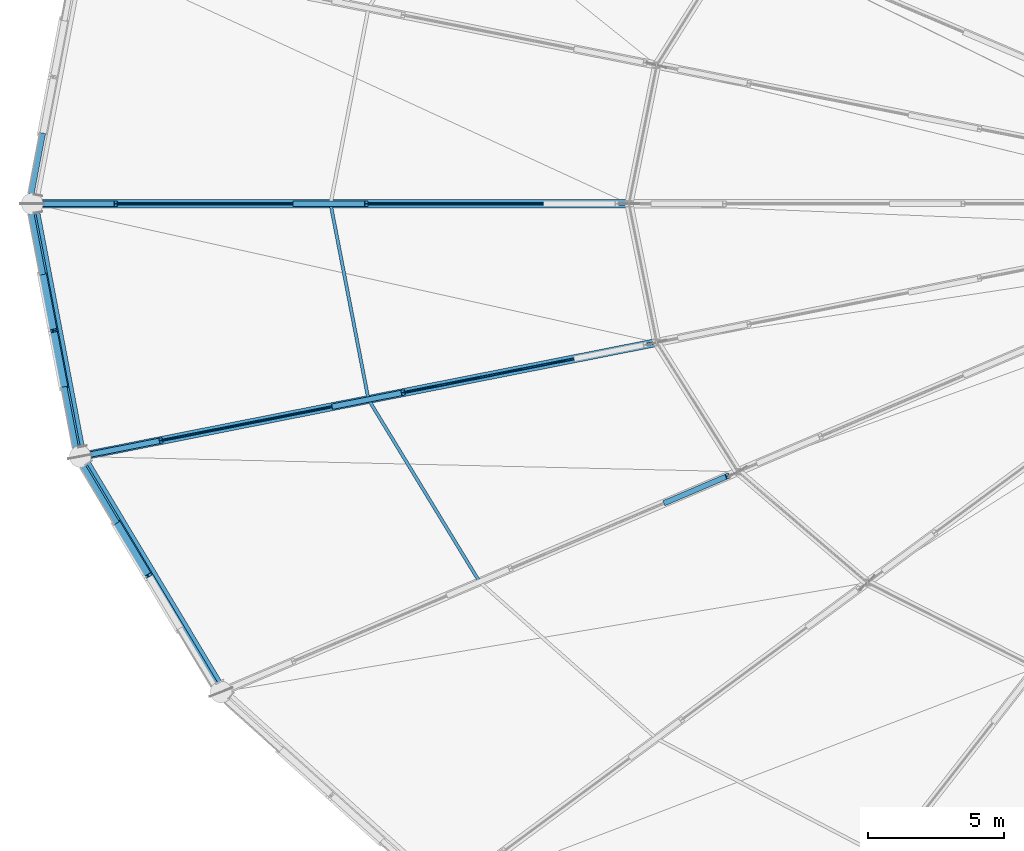
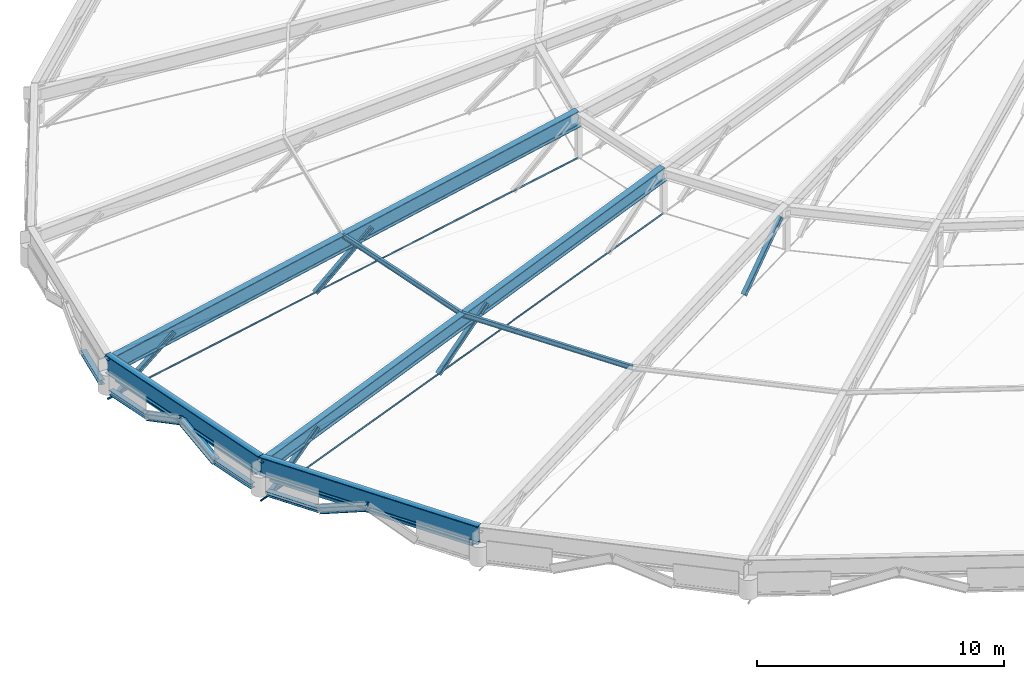
# One storey, part 9 of 83: 13 beams, 9 members.
"""IFC4 building model written with IfcOpenShell, lengths in metres."""

from ifc_helpers import new_model, si_unit, direction, frame, origin, origin_2d, place, context, subcontext, project, spatial, hollow_rectangle, circle, i_section, extrude, material, material_profile, profile_set, type_object, element, save


model = new_model("IFC4")

# Units and contexts
model_context = context("Model", 3, precision=1e-05, world=origin(), true_north=direction((0.0, 1.0)))
body_context = subcontext(model_context, "Body", "Model", "MODEL_VIEW")
ifc_project = project(units=[si_unit("LENGTHUNIT", "METRE"), si_unit("AREAUNIT", "SQUARE_METRE"), si_unit("VOLUMEUNIT", "CUBIC_METRE"), si_unit("PLANEANGLEUNIT", "RADIAN"), si_unit("MASSUNIT", "GRAM", prefix="KILO")], contexts=[model_context])

# Site, building, storey
site_placement = place(None, origin())
site = spatial("IfcSite", under=ifc_project, at=site_placement, CompositionType="ELEMENT")
building_placement = place(site_placement, origin())
building = spatial("IfcBuilding", under=site, at=building_placement, Name="Kivolera Central Railway Station", CompositionType="ELEMENT")
storey_placement = place(building_placement, frame((0.0, 0.0, 14.39990234375)))
storey = spatial("IfcBuildingStorey", under=building, at=storey_placement, Name="L03", CompositionType="ELEMENT", Elevation=14.39990234375)

# Beams
ifc_material_1 = material(Name="Steel S355", Category="steel")
ifc_material_profile_1 = material_profile(ifc_material_1, hollow_rectangle(XDim=0.14990234375, YDim=0.300048828125, WallThickness=0.012451171875, at=origin_2d()), Name="RHS 300x150x12.5")
ifc_profile_set_1 = profile_set([ifc_material_profile_1], Name="Steel S355")
beam_type_1 = type_object("IfcBeamType", Name="BM-ARCH-HOOD", PredefinedType="SPANDREL", material=ifc_profile_set_1)
beam_1_placement = place(storey_placement, frame((12.208984375, 89.677978515625, 0.735107421875), z_axis=(0.186806482691, -0.982396731481, 0.0), x_axis=(0.982396731481, 0.186806482691, 0.0)))
element("IfcBeam", 1, at=beam_1_placement, inside=storey, type_object=beam_type_1, Name="Lantern Spandrel Hood Beam 13", PredefinedType="SPANDREL", context=body_context, shape_type="SweptSolid", body=[
    extrude(hollow_rectangle(XDim=0.14990234375, YDim=0.300048828125, WallThickness=0.012451171875, at=origin_2d()), origin(), (0.0, 0.0, 1.0), 8.7734375),
])
beam_2_placement = place(storey_placement, frame((14.0791015625, 80.452880859375, 0.735107421875), z_axis=(0.513358106198, -0.858174489717, 0.0), x_axis=(0.858174489717, 0.513358106198, 0.0)))
element("IfcBeam", 2, at=beam_2_placement, inside=storey, type_object=beam_type_1, Name="Lantern Spandrel Hood Beam 14", PredefinedType="SPANDREL", context=body_context, shape_type="SweptSolid", body=[
    extrude(hollow_rectangle(XDim=0.14990234375, YDim=0.300048828125, WallThickness=0.012451171875, at=origin_2d()), origin(), (0.0, 0.0, 1.0), 9.408203125),
])
ifc_material_profile_2 = material_profile(ifc_material_1, i_section(OverallWidth=0.300048828125, OverallDepth=0.699951171875, WebThickness=0.01708984375, FlangeThickness=0.031982421875, FilletRadius=0.027099609375, at=origin_2d()), Name="HEB 700")
ifc_profile_set_2 = profile_set([ifc_material_profile_2], Name="Steel S355")
beam_type_2 = type_object("IfcBeamType", Name="BM-DRB-HEB700", PredefinedType="BEAM", material=ifc_profile_set_2)
beam_3_placement = place(storey_placement, frame((13.77197265625, 80.68310546875, 1.18017578125), z_axis=(0.959583816492, 0.189877206703, 0.207715058439), x_axis=(-0.194110886341, 0.980979593979, 0.0)))
element("IfcBeam", 3, at=beam_3_placement, inside=storey, type_object=beam_type_2, Name="Oval Dome Radial Arch Rib Outer Segment DRB1-14", PredefinedType="BEAM", context=body_context, shape_type="SweptSolid", body=[
    extrude(i_section(OverallWidth=0.300048828125, OverallDepth=0.699951171875, WebThickness=0.01708984375, FlangeThickness=0.031982421875, FilletRadius=0.027099609375, at=origin_2d()), origin(), (0.0, 0.0, 1.0), 22.14501953125),
])
ifc_material_profile_3 = material_profile(ifc_material_1, i_section(OverallWidth=0.300048828125, OverallDepth=0.800048828125, WebThickness=0.017578125, FlangeThickness=0.032958984375, FilletRadius=0.030029296875, at=origin_2d()), Name="HEB 800")
ifc_profile_set_3 = profile_set([ifc_material_profile_3], Name="Steel S355")
beam_type_3 = type_object("IfcBeamType", Name="BM-DRB-HEB800", PredefinedType="BEAM", material=ifc_profile_set_3)
beam_4_placement = place(storey_placement, frame((12.0, 90.0, 1.18017578125), z_axis=(0.978833406284, 0.0, 0.204658649323), x_axis=(0.0, 1.0, 0.0)))
element("IfcBeam", 4, at=beam_4_placement, inside=storey, type_object=beam_type_3, Name="Oval Dome Radial Arch Rib Outer Segment DRB1-13", PredefinedType="BEAM", context=body_context, shape_type="SweptSolid", body=[
    extrude(i_section(OverallWidth=0.300048828125, OverallDepth=0.800048828125, WebThickness=0.017578125, FlangeThickness=0.032958984375, FilletRadius=0.030029296875, at=origin_2d()), origin(), (0.0, 0.0, 1.0), 22.475830078125),
])
ifc_material_profile_4 = material_profile(ifc_material_1, i_section(OverallWidth=0.300048828125, OverallDepth=0.300048828125, WebThickness=0.010986328125, FlangeThickness=0.01904296875, FilletRadius=0.027099609375, at=origin_2d()), Name="HEB 300")
ifc_profile_set_4 = profile_set([ifc_material_profile_4], Name="Steel S355")
beam_type_4 = type_object("IfcBeamType", Name="BM-LANT-ARCH", PredefinedType="SPANDREL", material=ifc_profile_set_4)
beam_5_placement = place(storey_placement, frame((12.375, 87.387939453125, 0.16015625), z_axis=(0.171638892199, -0.903396256206, 0.392957115928), x_axis=(0.982425727278, 0.186653932136, 0.0)))
element("IfcBeam", 5, at=beam_5_placement, inside=storey, type_object=beam_type_4, Name="Oval Lantern Structural Arch Rib 13.3", PredefinedType="SPANDREL", context=body_context, shape_type="SweptSolid", body=[
    extrude(i_section(OverallWidth=0.300048828125, OverallDepth=0.300048828125, WebThickness=0.010986328125, FlangeThickness=0.01904296875, FilletRadius=0.027099609375, at=origin_2d()), origin(), (0.0, 0.0, 1.0), 2.2900390625),
])
beam_6_placement = place(storey_placement, frame((12.76806640625, 85.319091796875, 1.06005859375), z_axis=(0.172036149681, -0.903349670724, -0.392890488058), x_axis=(0.982344653126, 0.18708014987, 0.0)))
element("IfcBeam", 6, at=beam_6_placement, inside=storey, type_object=beam_type_4, Name="Oval Lantern Structural Arch Rib 13.4", PredefinedType="SPANDREL", context=body_context, shape_type="SweptSolid", body=[
    extrude(i_section(OverallWidth=0.300048828125, OverallDepth=0.300048828125, WebThickness=0.010986328125, FlangeThickness=0.01904296875, FilletRadius=0.027099609375, at=origin_2d()), origin(), (0.0, 0.0, 1.0), 2.29052734375),
])
beam_7_placement = place(storey_placement, frame((15.10693359375, 78.218017578125, 0.16015625), z_axis=(0.477160519348, -0.797074958456, 0.370120722709), x_axis=(0.858007506616, 0.513637146818, 0.0)))
element("IfcBeam", 7, at=beam_7_placement, inside=storey, type_object=beam_type_4, Name="Oval Lantern Structural Arch Rib 14.3", PredefinedType="SPANDREL", context=body_context, shape_type="SweptSolid", body=[
    extrude(i_section(OverallWidth=0.300048828125, OverallDepth=0.300048828125, WebThickness=0.010986328125, FlangeThickness=0.01904296875, FilletRadius=0.027099609375, at=origin_2d()), origin(), (0.0, 0.0, 1.0), 2.431396484375),
])
ifc_material_profile_5 = material_profile(ifc_material_1, i_section(OverallWidth=0.239990234375, OverallDepth=0.22998046875, WebThickness=0.007568359375, FlangeThickness=0.011962890625, FilletRadius=0.02099609375, at=origin_2d()), Name="HEA 240")
ifc_profile_set_5 = profile_set([ifc_material_profile_5], Name="Steel S355")
beam_type_5 = type_object("IfcBeamType", Name="BM-LANT-HTIE", PredefinedType="SPANDREL", material=ifc_profile_set_5)
for number, where, z_axis, x_axis, name in (
    (8, (12.375, 92.612060546875, 0.16015625), (-0.187176037815, -0.982326387138, 0.0), (0.982326387138, -0.187176037815, 0.0), "Lantern Arch Spandrel Haunch Tie 12R"),
    (9, (11.947998046875, 89.62890625, 0.16015625), (0.187176037815, -0.982326387138, 0.0), (0.982326387138, 0.187176037815, 0.0), "Lantern Arch Spandrel Haunch Tie 13L"),
):
    element("IfcBeam", number, at=place(storey_placement, frame(where, z_axis=z_axis, x_axis=x_axis)), inside=storey, type_object=beam_type_5, Name=name, PredefinedType="SPANDREL", context=body_context, shape_type="SweptSolid", body=[
        extrude(i_section(OverallWidth=0.239990234375, OverallDepth=0.22998046875, WebThickness=0.007568359375, FlangeThickness=0.011962890625, FilletRadius=0.02099609375, at=origin_2d()), origin(), (0.0, 0.0, 1.0), 2.28125),
    ])
beam_8_placement = place(storey_placement, frame((13.162109375, 83.25, 0.16015625), z_axis=(0.186659612819, -0.982424647972, 0.0), x_axis=(0.982424647972, 0.186659612819, 0.0)))
element("IfcBeam", 10, at=beam_8_placement, inside=storey, type_object=beam_type_5, Name="Lantern Arch Spandrel Haunch Tie 13R", PredefinedType="SPANDREL", context=body_context, shape_type="SweptSolid", body=[
    extrude(i_section(OverallWidth=0.239990234375, OverallDepth=0.22998046875, WebThickness=0.007568359375, FlangeThickness=0.011962890625, FilletRadius=0.02099609375, at=origin_2d()), origin(), (0.0, 0.0, 1.0), 2.281005859375),
])
beam_9_placement = place(storey_placement, frame((13.85107421875, 80.31689453125, 0.16015625), z_axis=(0.51345317961, -0.858117609858, 0.0), x_axis=(0.858117609858, 0.51345317961, 0.0)))
element("IfcBeam", 11, at=beam_9_placement, inside=storey, type_object=beam_type_5, Name="Lantern Arch Spandrel Haunch Tie 14L", PredefinedType="SPANDREL", context=body_context, shape_type="SweptSolid", body=[
    extrude(i_section(OverallWidth=0.239990234375, OverallDepth=0.22998046875, WebThickness=0.007568359375, FlangeThickness=0.011962890625, FilletRadius=0.02099609375, at=origin_2d()), origin(), (0.0, 0.0, 1.0), 2.44580078125),
])
ifc_material_profile_6 = material_profile(ifc_material_1, i_section(OverallWidth=0.300048828125, OverallDepth=0.89990234375, WebThickness=0.0185546875, FlangeThickness=0.034912109375, FilletRadius=0.030029296875, at=origin_2d()), Name="HEB 900")
ifc_profile_set_6 = profile_set([ifc_material_profile_6], Name="Steel S355")
beam_type_6 = type_object("IfcBeamType", Name="BM-ORB-HEB900", PredefinedType="BEAM", material=ifc_profile_set_6)
beam_10_placement = place(storey_placement, frame((12.0, 90.0, 1.35009765625), z_axis=(0.186840028686, -0.982390351989, 0.0), x_axis=(0.982390351989, 0.186840028686, 0.0)))
element("IfcBeam", 12, at=beam_10_placement, inside=storey, type_object=beam_type_6, Name="Oval Dome Compression Ring Beam ORB-13", PredefinedType="BEAM", context=body_context, shape_type="SweptSolid", body=[
    extrude(i_section(OverallWidth=0.300048828125, OverallDepth=0.89990234375, WebThickness=0.0185546875, FlangeThickness=0.034912109375, FilletRadius=0.030029296875, at=origin_2d()), origin(), (0.0, 0.0, 1.0), 9.48388671875),
])
beam_11_placement = place(storey_placement, frame((13.77197265625, 80.68310546875, 1.35009765625), z_axis=(0.513420234648, -0.85813732156, 0.0), x_axis=(0.85813732156, 0.513420234648, 0.0)))
element("IfcBeam", 13, at=beam_11_placement, inside=storey, type_object=beam_type_6, Name="Oval Dome Compression Ring Beam ORB-14", PredefinedType="BEAM", context=body_context, shape_type="SweptSolid", body=[
    extrude(i_section(OverallWidth=0.300048828125, OverallDepth=0.89990234375, WebThickness=0.0185546875, FlangeThickness=0.034912109375, FilletRadius=0.030029296875, at=origin_2d()), origin(), (0.0, 0.0, 1.0), 10.11865234375),
])

# Members
ifc_material_2 = material(Name="Spiral strand steel S460", Category="steel")
ifc_material_profile_7 = material_profile(ifc_material_2, circle(Radius=0.031982421875, at=origin_2d()), Name="CABLE D64")
ifc_profile_set_7 = profile_set([ifc_material_profile_7], Name="Spiral strand steel S460")
member_type_1 = type_object("IfcMemberType", Name="MEM-CABLE-D64", PredefinedType="USERDEFINED", material=ifc_profile_set_7)
member_1_placement = place(storey_placement, frame((12.0, 90.0, -0.449951171875), z_axis=(0.982012975682, 0.0, 0.188813441236), x_axis=(0.0, 1.0, 0.0)))
element("IfcMember", 14, at=member_1_placement, inside=storey, type_object=member_type_1, Name="Dome Radial Spiral-Strand Tension Cable RC1-13", ObjectType="TENSION_CABLE", PredefinedType="USERDEFINED", context=body_context, shape_type="SweptSolid", body=[
    extrude(circle(Radius=0.031982421875, at=origin_2d()), origin(), (0.0, 0.0, 1.0), 22.403076171875),
])
member_2_placement = place(storey_placement, frame((13.77197265625, 80.68310546875, -0.449951171875), z_axis=(0.962795124398, 0.190512642779, 0.191651979841), x_axis=(-0.194110886341, 0.980979593979, 0.0)))
element("IfcMember", 15, at=member_2_placement, inside=storey, type_object=member_type_1, Name="Dome Radial Spiral-Strand Tension Cable RC1-14", ObjectType="TENSION_CABLE", PredefinedType="USERDEFINED", context=body_context, shape_type="SweptSolid", body=[
    extrude(circle(Radius=0.031982421875, at=origin_2d()), origin(), (0.0, 0.0, 1.0), 22.071044921875),
])
ifc_material_profile_8 = material_profile(ifc_material_1, i_section(OverallWidth=0.1201171875, OverallDepth=0.239990234375, WebThickness=0.006103515625, FlangeThickness=0.009765625, FilletRadius=0.014892578125, at=origin_2d()), Name="IPE 240")
ifc_profile_set_8 = profile_set([ifc_material_profile_8], Name="Steel S355")
member_type_2 = type_object("IfcMemberType", Name="MEM-PUR-IPE240", PredefinedType="PURLIN", material=ifc_profile_set_8)
member_3_placement = place(storey_placement, frame((23.0, 90.0, 3.775146484375), z_axis=(0.19011281598, -0.981762250853, 0.0), x_axis=(0.981762250853, 0.19011281598, 0.0)))
element("IfcMember", 16, at=member_3_placement, inside=storey, type_object=member_type_2, Name="Dome Outer Hoop Purlin DPUR1-13", PredefinedType="PURLIN", context=body_context, shape_type="SweptSolid", body=[
    extrude(i_section(OverallWidth=0.1201171875, OverallDepth=0.239990234375, WebThickness=0.006103515625, FlangeThickness=0.009765625, FilletRadius=0.014892578125, at=origin_2d()), origin(), (0.0, 0.0, 1.0), 7.34814453125),
])
member_4_placement = place(storey_placement, frame((24.39697265625, 82.785888671875, 3.775146484375), z_axis=(0.520239086032, -0.854020663313, 0.0), x_axis=(0.854020663313, 0.520239086032, 0.0)))
element("IfcMember", 17, at=member_4_placement, inside=storey, type_object=member_type_2, Name="Dome Outer Hoop Purlin DPUR1-14", PredefinedType="PURLIN", context=body_context, shape_type="SweptSolid", body=[
    extrude(i_section(OverallWidth=0.1201171875, OverallDepth=0.239990234375, WebThickness=0.006103515625, FlangeThickness=0.009765625, FilletRadius=0.014892578125, at=origin_2d()), origin(), (0.0, 0.0, 1.0), 7.873291015625),
])
ifc_material_profile_9 = material_profile(ifc_material_1, i_section(OverallWidth=0.199951171875, OverallDepth=0.199951171875, WebThickness=0.009033203125, FlangeThickness=0.014892578125, FilletRadius=0.01806640625, at=origin_2d()), Name="HEB 200")
ifc_profile_set_9 = profile_set([ifc_material_profile_9], Name="Steel S355")
member_type_3 = type_object("IfcMemberType", Name="MEM-RAF-HEB200", PredefinedType="RAFTER", material=ifc_profile_set_9)
member_5_placement = place(storey_placement, frame((12.43994140625, 90.0, -0.364990234375), z_axis=(0.769782699796, 0.0, 0.638306035609), x_axis=(0.0, 1.0, 0.0)))
element("IfcMember", 18, at=member_5_placement, inside=storey, type_object=member_type_3, Name="Dome Radial Truss Raking Web DWEB1-13.1", PredefinedType="RAFTER", context=body_context, shape_type="SweptSolid", body=[
    extrude(i_section(OverallWidth=0.199951171875, OverallDepth=0.199951171875, WebThickness=0.009033203125, FlangeThickness=0.014892578125, FilletRadius=0.01806640625, at=origin_2d()), origin(), (0.0, 0.0, 1.0), 3.4296875),
])
member_6_placement = place(storey_placement, frame((21.679931640625, 90.0, 1.4111328125), z_axis=(0.747664837797, 0.0, 0.664076268452), x_axis=(0.0, 1.0, 0.0)))
element("IfcMember", 19, at=member_6_placement, inside=storey, type_object=member_type_3, Name="Dome Radial Truss Raking Web DWEB1-13.2", PredefinedType="RAFTER", context=body_context, shape_type="SweptSolid", body=[
    extrude(i_section(OverallWidth=0.199951171875, OverallDepth=0.199951171875, WebThickness=0.009033203125, FlangeThickness=0.014892578125, FilletRadius=0.01806640625, at=origin_2d()), origin(), (0.0, 0.0, 1.0), 3.53125),
])
member_7_placement = place(storey_placement, frame((14.197021484375, 80.76708984375, -0.364990234375), z_axis=(0.75032949901, 0.148557338818, 0.644155540222), x_axis=(-0.194219376983, 0.980958120209, 0.0)))
element("IfcMember", 20, at=member_7_placement, inside=storey, type_object=member_type_3, Name="Dome Radial Truss Raking Web DWEB1-14.1", PredefinedType="RAFTER", context=body_context, shape_type="SweptSolid", body=[
    extrude(i_section(OverallWidth=0.199951171875, OverallDepth=0.199951171875, WebThickness=0.009033203125, FlangeThickness=0.014892578125, FilletRadius=0.01806640625, at=origin_2d()), origin(), (0.0, 0.0, 1.0), 3.398681640625),
])
member_8_placement = place(storey_placement, frame((23.1220703125, 82.532958984375, 1.4111328125), z_axis=(0.728383545201, 0.144282006225, 0.669806026966), x_axis=(-0.194309748396, 0.980940223295, 0.0)))
element("IfcMember", 21, at=member_8_placement, inside=storey, type_object=member_type_3, Name="Dome Radial Truss Raking Web DWEB1-14.2", PredefinedType="RAFTER", context=body_context, shape_type="SweptSolid", body=[
    extrude(i_section(OverallWidth=0.199951171875, OverallDepth=0.199951171875, WebThickness=0.009033203125, FlangeThickness=0.014892578125, FilletRadius=0.01806640625, at=origin_2d()), origin(), (0.0, 0.0, 1.0), 3.5009765625),
])
member_9_placement = place(storey_placement, frame((35.35205078125, 78.987060546875, 3.18798828125), z_axis=(0.648429316167, 0.276809994309, 0.709165459527), x_axis=(-0.392614848934, 0.91970298488, 0.0)))
element("IfcMember", 22, at=member_9_placement, inside=storey, type_object=member_type_3, Name="Dome Radial Truss Raking Web DWEB1-15.3", PredefinedType="RAFTER", context=body_context, shape_type="SweptSolid", body=[
    extrude(i_section(OverallWidth=0.199951171875, OverallDepth=0.199951171875, WebThickness=0.009033203125, FlangeThickness=0.014892578125, FilletRadius=0.01806640625, at=origin_2d()), origin(), (0.0, 0.0, 1.0), 3.525390625),
])

save(model, "model.ifc")
